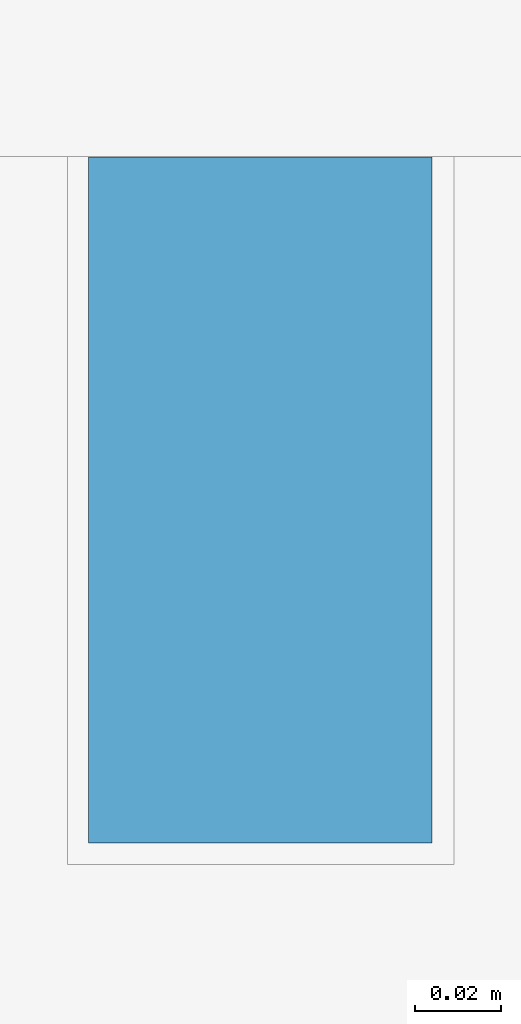
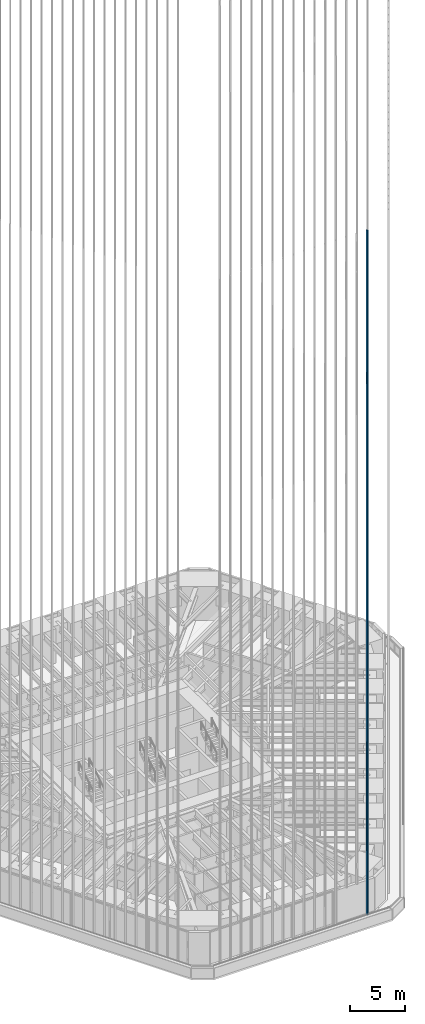
# One storey, part 66 of 238: 1 member, 1 element without a shape of its own.
"""IFC4 building model written with IfcOpenShell, lengths in metres."""

from ifc_helpers import new_model, si_unit, direction, frame, origin, origin_2d, place, context, subcontext, project, spatial, rectangle, extrude, material, material_profile, profile_set, type_object, element, aggregate, save


model = new_model("IFC4")

# Units and contexts
model_context = context("Model", 3, precision=1e-05, world=origin(), true_north=direction((0.0, 1.0)))
body_context = subcontext(model_context, "Body", "Model", "MODEL_VIEW")
ifc_project = project(units=[si_unit("LENGTHUNIT", "METRE"), si_unit("AREAUNIT", "SQUARE_METRE"), si_unit("VOLUMEUNIT", "CUBIC_METRE"), si_unit("PLANEANGLEUNIT", "RADIAN"), si_unit("MASSUNIT", "GRAM", prefix="KILO")], contexts=[model_context])

# Site, building, storey
site_placement = place(None, origin())
site = spatial("IfcSite", under=ifc_project, at=site_placement, CompositionType="ELEMENT")
building_placement = place(site_placement, origin())
building = spatial("IfcBuilding", under=site, at=building_placement, Name="Sandreach Pilgrim Tower", CompositionType="ELEMENT")
storey_placement = place(building_placement, frame((0.0, 0.0, 96.800048828125)))
storey = spatial("IfcBuildingStorey", under=building, at=storey_placement, Name="L23", CompositionType="ELEMENT", Elevation=96.800048828125)

# Curtain wall, member
ifc_material_1 = material(Name="Aluminium framed curtain wall", Category="aluminium")
curtain_wall_type = type_object("IfcCurtainWallType", Name="Hotel tower curtain wall", PredefinedType="NOTDEFINED", material=ifc_material_1)
curtain_wall_placement = place(storey_placement, origin())
curtain_wall = element("IfcCurtainWall", 1, at=curtain_wall_placement, inside=storey, type_object=curtain_wall_type, Name="CW-2 L23 SA", PredefinedType="NOTDEFINED")
ifc_material_2 = material(Name="Extruded terracotta on aluminium core", Category="masonry")
ifc_material_profile = material_profile(ifc_material_2, rectangle(XDim=0.080078125, YDim=0.159912109375, at=origin_2d()), Name="TBS 80X160")
ifc_profile_set = profile_set([ifc_material_profile], Name="Extruded terracotta on aluminium core")
member_type = type_object("IfcMemberType", Name="Terracotta baguette south", PredefinedType="USERDEFINED", material=ifc_profile_set)
member_placement = place(storey_placement, frame((7.726806640625, -28.572265625, 0.0), z_axis=(0.0, 0.0, 1.0), x_axis=(-1.0, 0.0, 0.0)))
member = element("IfcMember", 2, at=member_placement, type_object=member_type, Name="Baguette Z2 S01", ObjectType="BAGUETTE", PredefinedType="USERDEFINED", context=body_context, shape_type="SweptSolid", body=[
    extrude(rectangle(XDim=0.080078125, YDim=0.159912109375, at=origin_2d()), origin(), (0.0, 0.0, 1.0), 75.83984375),
])
aggregate(curtain_wall, [member])

save(model, "model.ifc")
